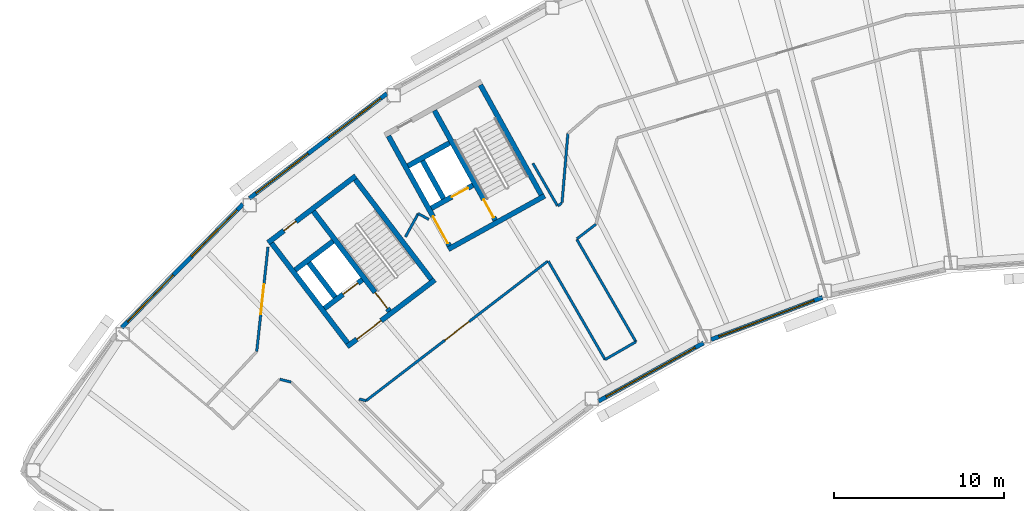
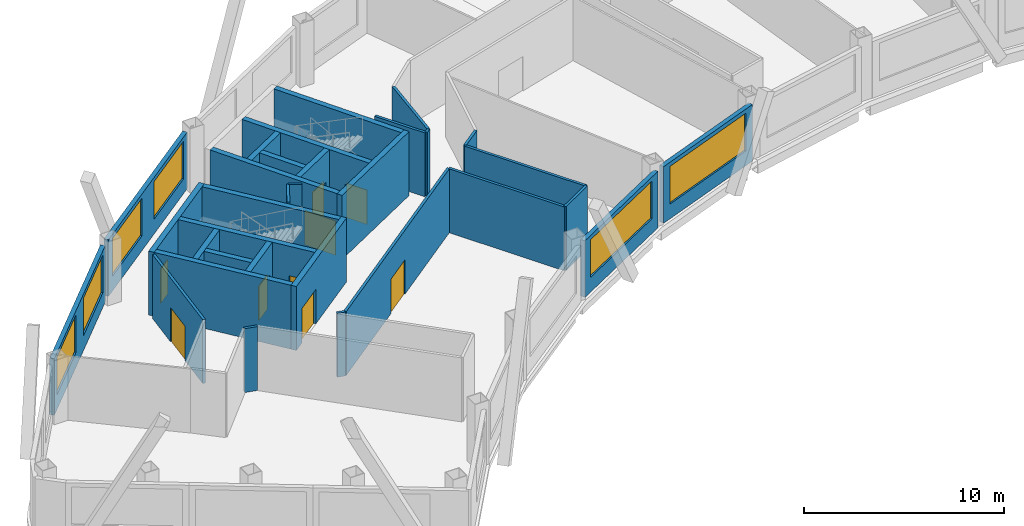
# One storey, part 5 of 13: 32 walls, 9 doors, 6 windows, 15 openings.
"""IFC4 building model written with IfcOpenShell, lengths in metres."""

from ifc_helpers import new_model, si_unit, direction, frame, frame_2d, origin, place, context, subcontext, project, spatial, rectangle, extrude, material, layer, layer_set, type_object, element, fill, save


model = new_model("IFC4")

# Units and contexts
model_context = context("Model", 3, precision=1e-05, world=origin(), true_north=direction((0.0, 1.0)))
body_context = subcontext(model_context, "Body", "Model", "MODEL_VIEW")
ifc_project = project(units=[si_unit("LENGTHUNIT", "METRE"), si_unit("AREAUNIT", "SQUARE_METRE"), si_unit("VOLUMEUNIT", "CUBIC_METRE"), si_unit("PLANEANGLEUNIT", "RADIAN"), si_unit("MASSUNIT", "GRAM", prefix="KILO")], contexts=[model_context])

# Site, building, storey
site_placement = place(None, origin())
site = spatial("IfcSite", under=ifc_project, at=site_placement, CompositionType="ELEMENT")
building_placement = place(site_placement, origin())
building = spatial("IfcBuilding", under=site, at=building_placement, Name="Tuul Gate Civic Tower", CompositionType="ELEMENT")
storey_placement = place(building_placement, frame((0.0, 0.0, 302.60009765625)))
storey = spatial("IfcBuildingStorey", under=building, at=storey_placement, Name="Level 68", CompositionType="ELEMENT", Elevation=302.60009765625)

# Wall, opening, door
ifc_material_1 = material(Name="Concrete C50/60", Category="concrete")
ifc_layer_1 = layer(ifc_material_1, 0.300048828125)
ifc_layer_set_1 = layer_set([ifc_layer_1], Name="Concrete C50/60")
wall_type_1 = type_object("IfcWallType", Name="Core wall C50/60", PredefinedType="SHEAR", material=ifc_layer_set_1)
wall_1_placement = place(storey_placement, frame((-31.19091796875, -13.669677734375, 0.0), z_axis=(0.0, 0.0, 1.0), x_axis=(-0.795606717756, -0.605813461934, 0.0)))
wall_1 = element("IfcWall", 1, at=wall_1_placement, inside=storey, type_object=wall_type_1, Name="Core wall", PredefinedType="SHEAR", context=body_context, shape_type="SweptSolid", body=[
    extrude(rectangle(XDim=6.5, YDim=0.300048828125, at=frame_2d((3.25, 0.0))), origin(), (0.0, 0.0, 1.0), 3.89990234375),
])
opening_1_placement = place(wall_1_placement, frame((3.97509765625, 0.0, 0.0)))
opening_1 = element("IfcOpeningElement", 2, at=opening_1_placement, cuts=wall_1, Name="Opening LB-W1-LOBBY-1", PredefinedType="OPENING", context=body_context, shape_type="SweptSolid", body=[
    extrude(rectangle(XDim=1.800048828125, YDim=2.10009765625, at=frame_2d((0.89990234375, 1.050048828125))), frame((0.0, 0.16015625, 0.0), z_axis=(0.0, -1.0, 0.0), x_axis=(1.0, 0.0, 0.0)), (0.0, 0.0, 1.0), 0.320068359375),
])
ifc_material_2 = material(Name="Steel", Category="steel")
door_type_1 = type_object("IfcDoorType", Name="Lobby door", OperationType="DOUBLE_DOOR_SINGLE_SWING", PredefinedType="DOOR", material=ifc_material_2)
door_1_placement = place(opening_1_placement, origin())
door_1 = element("IfcDoor", 3, at=door_1_placement, inside=storey, type_object=door_type_1, Name="Lobby door W1-LOBBY", OperationType="DOUBLE_DOOR_SINGLE_SWING", OverallHeight=2.10009765625, OverallWidth=1.800048828125, PredefinedType="DOOR", context=body_context, shape_type="SweptSolid", body=[
    extrude(rectangle(XDim=1.800048828125, YDim=2.10009765625, at=frame_2d((0.89990234375, 1.050048828125))), frame((0.0, 0.02490234375, 0.0), z_axis=(0.0, -1.0, 0.0), x_axis=(1.0, 0.0, 0.0)), (0.0, 0.0, 1.0), 0.050048828125),
])
fill(opening_1, door_1)

wall_2_placement = place(storey_placement, frame((-35.470947265625, -13.66064453125, 0.0), z_axis=(0.0, 0.0, 1.0), x_axis=(-0.795615822227, -0.605801504968, 0.0)))
wall_2 = element("IfcWall", 4, at=wall_2_placement, inside=storey, type_object=wall_type_1, Name="Core wall", PredefinedType="SHEAR", context=body_context, shape_type="SweptSolid", body=[
    extrude(rectangle(XDim=2.800048828125, YDim=0.300048828125, at=frame_2d((1.39990234375, 0.0))), origin(), (0.0, 0.0, 1.0), 3.89990234375),
])
opening_2_placement = place(wall_2_placement, frame((0.324951171875, 0.0, 0.0)))
opening_2 = element("IfcOpeningElement", 5, at=opening_2_placement, cuts=wall_2, Name="Opening LD-H1", PredefinedType="OPENING", context=body_context, shape_type="SweptSolid", body=[
    extrude(rectangle(XDim=1.10009765625, YDim=2.10009765625, at=frame_2d((0.550048828125, 1.050048828125))), frame((0.0, 0.16015625, 0.0), z_axis=(0.0, -1.0, 0.0), x_axis=(1.0, 0.0, 0.0)), (0.0, 0.0, 1.0), 0.320068359375),
])
ifc_material_3 = material(Name="Stainless steel", Category="steel")
door_type_2 = type_object("IfcDoorType", Name="Landing door", OperationType="DOUBLE_DOOR_SLIDING", PredefinedType="DOOR", material=ifc_material_3)
door_2_placement = place(opening_2_placement, origin())
door_2 = element("IfcDoor", 6, at=door_2_placement, inside=storey, type_object=door_type_2, Name="High-rise lift H1 landing door", OperationType="DOUBLE_DOOR_SLIDING", OverallHeight=2.10009765625, OverallWidth=1.10009765625, PredefinedType="DOOR", context=body_context, shape_type="SweptSolid", body=[
    extrude(rectangle(XDim=1.10009765625, YDim=2.10009765625, at=frame_2d((0.550048828125, 1.050048828125))), frame((0.0, 0.02490234375, 0.0), z_axis=(0.0, -1.0, 0.0), x_axis=(1.0, 0.0, 0.0)), (0.0, 0.0, 1.0), 0.050048828125),
])
fill(opening_2, door_2)

# Wall
wall_3_placement = place(storey_placement, frame((-37.197509765625, -11.39306640625, 0.0), z_axis=(0.0, 0.0, 1.0), x_axis=(-0.795583820278, -0.605843531707, 0.0)))
element("IfcWall", 7, at=wall_3_placement, inside=storey, type_object=wall_type_1, Name="Core wall", PredefinedType="SHEAR", context=body_context, shape_type="SweptSolid", body=[
    extrude(rectangle(XDim=2.7998046875, YDim=0.300048828125, at=frame_2d((1.39990234375, 0.0))), origin(), (0.0, 0.0, 1.0), 3.89990234375),
])

# Wall, opening, door
wall_4_placement = place(storey_placement, frame((-35.855224609375, -7.543212890625, 0.0), z_axis=(0.0, 0.0, 1.0), x_axis=(-0.79563860527, -0.605771582202, 0.0)))
wall_4 = element("IfcWall", 8, at=wall_4_placement, inside=storey, type_object=wall_type_1, Name="Core wall", PredefinedType="SHEAR", context=body_context, shape_type="SweptSolid", body=[
    extrude(rectangle(XDim=6.5, YDim=0.300048828125, at=frame_2d((3.25, 0.0))), origin(), (0.0, 0.0, 1.0), 3.89990234375),
])
opening_3_placement = place(wall_4_placement, frame((4.425048828125, 0.0, 0.0)))
opening_3 = element("IfcOpeningElement", 9, at=opening_3_placement, cuts=wall_4, Name="Opening Y-D16", PredefinedType="OPENING", context=body_context, shape_type="SweptSolid", body=[
    extrude(rectangle(XDim=0.89990234375, YDim=2.10009765625, at=frame_2d((0.449951171875, 1.050048828125))), frame((0.0, 0.16015625, 0.0), z_axis=(0.0, -1.0, 0.0), x_axis=(1.0, 0.0, 0.0)), (0.0, 0.0, 1.0), 0.320068359375),
])
ifc_material_4 = material(Name="Timber door leaf", Category="wood")
door_type_3 = type_object("IfcDoorType", Name="Door D09", OperationType="NOTDEFINED", PredefinedType="DOOR", material=ifc_material_4)
door_3_placement = place(opening_3_placement, origin())
door_3 = element("IfcDoor", 10, at=door_3_placement, inside=storey, type_object=door_type_3, Name="Door Y-D16", OperationType="SINGLE_SWING_RIGHT", OverallHeight=2.10009765625, OverallWidth=0.89990234375, PredefinedType="DOOR", context=body_context, shape_type="SweptSolid", body=[
    extrude(rectangle(XDim=0.89990234375, YDim=2.10009765625, at=frame_2d((0.449951171875, 1.050048828125))), frame((0.0, 0.02490234375, 0.0), z_axis=(0.0, -1.0, 0.0), x_axis=(1.0, 0.0, 0.0)), (0.0, 0.0, 1.0), 0.050048828125),
])
fill(opening_3, door_3)

# Wall
wall_5_placement = place(storey_placement, frame((-31.401123046875, -13.64111328125, 0.0), z_axis=(0.0, 0.0, 1.0), x_axis=(-0.605769822278, 0.795639945213, 0.0)))
element("IfcWall", 11, at=wall_5_placement, inside=storey, type_object=wall_type_1, Name="Core wall", PredefinedType="SHEAR", context=body_context, shape_type="SweptSolid", body=[
    extrude(rectangle(XDim=7.39990234375, YDim=0.300048828125, at=frame_2d((3.699951171875, 0.0))), origin(), (0.0, 0.0, 1.0), 3.89990234375),
])

# Wall, opening, door
wall_6_placement = place(storey_placement, frame((-33.867431640625, -15.51904296875, 0.0), z_axis=(0.0, 0.0, 1.0), x_axis=(-0.605769822278, 0.795639945213, 0.0)))
wall_6 = element("IfcWall", 12, at=wall_6_placement, inside=storey, type_object=wall_type_1, Name="Core wall", PredefinedType="SHEAR", context=body_context, shape_type="SweptSolid", body=[
    extrude(rectangle(XDim=7.39990234375, YDim=0.300048828125, at=frame_2d((3.699951171875, 0.0))), origin(), (0.0, 0.0, 1.0), 3.89990234375),
])
opening_4_placement = place(wall_6_placement, frame((0.199951171875, 0.0, 0.0)))
opening_4 = element("IfcOpeningElement", 13, at=opening_4_placement, cuts=wall_6, Name="Opening SD-ST-1", PredefinedType="OPENING", context=body_context, shape_type="SweptSolid", body=[
    extrude(rectangle(XDim=1.199951171875, YDim=2.10009765625, at=frame_2d((0.60009765625, 1.050048828125))), frame((0.0, 0.16015625, 0.0), z_axis=(0.0, -1.0, 0.0), x_axis=(1.0, 0.0, 0.0)), (0.0, 0.0, 1.0), 0.320068359375),
])
ifc_material_5 = material(Name="Steel", Category="steel")
door_type_4 = type_object("IfcDoorType", Name="Stair door", OperationType="NOTDEFINED", PredefinedType="DOOR", material=ifc_material_5)
door_4_placement = place(opening_4_placement, origin())
door_4 = element("IfcDoor", 14, at=door_4_placement, inside=storey, type_object=door_type_4, Name="Stair door ST-1", OperationType="SINGLE_SWING_LEFT", OverallHeight=2.10009765625, OverallWidth=1.199951171875, PredefinedType="DOOR", context=body_context, shape_type="SweptSolid", body=[
    extrude(rectangle(XDim=1.199951171875, YDim=2.10009765625, at=frame_2d((0.60009765625, 1.050048828125))), frame((0.0, 0.02490234375, 0.0), z_axis=(0.0, -1.0, 0.0), x_axis=(1.0, 0.0, 0.0)), (0.0, 0.0, 1.0), 0.050048828125),
])
fill(opening_4, door_4)

# Walls
wall_7_placement = place(storey_placement, frame((-37.073486328125, -14.6923828125, 0.0), z_axis=(0.0, 0.0, 1.0), x_axis=(-0.605728760074, 0.79567120673, 0.0)))
element("IfcWall", 15, at=wall_7_placement, inside=storey, type_object=wall_type_1, Name="Core wall", PredefinedType="SHEAR", context=body_context, shape_type="SweptSolid", body=[
    extrude(rectangle(XDim=2.550048828125, YDim=0.300048828125, at=frame_2d((1.27490234375, 0.0))), origin(), (0.0, 0.0, 1.0), 3.89990234375),
])
wall_8_placement = place(storey_placement, frame((-36.333984375, -17.397216796875, 0.0), z_axis=(0.0, 0.0, 1.0), x_axis=(-0.605753921168, 0.795652051458, 0.0)))
element("IfcWall", 16, at=wall_8_placement, inside=storey, type_object=wall_type_1, Name="Core wall", PredefinedType="SHEAR", context=body_context, shape_type="SweptSolid", body=[
    extrude(rectangle(XDim=7.400146484375, YDim=0.300048828125, at=frame_2d((3.7001953125, 0.0))), origin(), (0.0, 0.0, 1.0), 3.89990234375),
])
wall_9_placement = place(storey_placement, frame((-24.711669921875, -8.7158203125, 0.0), z_axis=(0.0, 0.0, 1.0), x_axis=(-0.874629909008, -0.484791215132, 0.0)))
element("IfcWall", 17, at=wall_9_placement, inside=storey, type_object=wall_type_1, Name="Core wall", PredefinedType="SHEAR", context=body_context, shape_type="SweptSolid", body=[
    extrude(rectangle(XDim=6.5, YDim=0.300048828125, at=frame_2d((3.25, 0.0))), origin(), (0.0, 0.0, 1.0), 3.89990234375),
])

# Wall, opening, door
wall_10_placement = place(storey_placement, frame((-28.94580078125, -8.090087890625, 0.0), z_axis=(0.0, 0.0, 1.0), x_axis=(-0.874629840737, -0.484791338301, 0.0)))
wall_10 = element("IfcWall", 18, at=wall_10_placement, inside=storey, type_object=wall_type_1, Name="Core wall", PredefinedType="SHEAR", context=body_context, shape_type="SweptSolid", body=[
    extrude(rectangle(XDim=2.800048828125, YDim=0.300048828125, at=frame_2d((1.39990234375, 0.0))), origin(), (0.0, 0.0, 1.0), 3.89990234375),
])
opening_5_placement = place(wall_10_placement, frame((0.324951171875, 0.0, 0.0)))
opening_5 = element("IfcOpeningElement", 19, at=opening_5_placement, cuts=wall_10, Name="Opening LD-FF-1", PredefinedType="OPENING", context=body_context, shape_type="SweptSolid", body=[
    extrude(rectangle(XDim=1.10009765625, YDim=2.10009765625, at=frame_2d((0.550048828125, 1.050048828125))), frame((0.0, 0.16015625, 0.0), z_axis=(0.0, -1.0, 0.0), x_axis=(1.0, 0.0, 0.0)), (0.0, 0.0, 1.0), 0.320068359375),
])
door_5_placement = place(opening_5_placement, origin())
door_5 = element("IfcDoor", 20, at=door_5_placement, inside=storey, type_object=door_type_2, Name="Fire-fighting lift FF-1 landing door", OperationType="DOUBLE_DOOR_SLIDING", OverallHeight=2.10009765625, OverallWidth=1.10009765625, PredefinedType="DOOR", context=body_context, shape_type="SweptSolid", body=[
    extrude(rectangle(XDim=1.10009765625, YDim=2.10009765625, at=frame_2d((0.550048828125, 1.050048828125))), frame((0.0, 0.02490234375, 0.0), z_axis=(0.0, -1.0, 0.0), x_axis=(1.0, 0.0, 0.0)), (0.0, 0.0, 1.0), 0.050048828125),
])
fill(opening_5, door_5)

# Walls
wall_11_placement = place(storey_placement, frame((-30.327392578125, -5.59716796875, 0.0), z_axis=(0.0, 0.0, 1.0), x_axis=(-0.874629840737, -0.484791338301, 0.0)))
element("IfcWall", 21, at=wall_11_placement, inside=storey, type_object=wall_type_1, Name="Core wall", PredefinedType="SHEAR", context=body_context, shape_type="SweptSolid", body=[
    extrude(rectangle(XDim=2.800048828125, YDim=0.300048828125, at=frame_2d((1.39990234375, 0.0))), origin(), (0.0, 0.0, 1.0), 3.89990234375),
])
wall_12_placement = place(storey_placement, frame((-24.91552734375, -8.6572265625, 0.0), z_axis=(0.0, 0.0, 1.0), x_axis=(-0.484777133038, 0.874637714304, 0.0)))
element("IfcWall", 22, at=wall_12_placement, inside=storey, type_object=wall_type_1, Name="Core wall", PredefinedType="SHEAR", context=body_context, shape_type="SweptSolid", body=[
    extrude(rectangle(XDim=7.400146484375, YDim=0.300048828125, at=frame_2d((3.7001953125, 0.0))), origin(), (0.0, 0.0, 1.0), 3.89990234375),
])

# Wall, opening, door
wall_13_placement = place(storey_placement, frame((-27.626953125, -10.16015625, 0.0), z_axis=(0.0, 0.0, 1.0), x_axis=(-0.484751894226, 0.874651702704, 0.0)))
wall_13 = element("IfcWall", 23, at=wall_13_placement, inside=storey, type_object=wall_type_1, Name="Core wall", PredefinedType="SHEAR", context=body_context, shape_type="SweptSolid", body=[
    extrude(rectangle(XDim=7.39990234375, YDim=0.300048828125, at=frame_2d((3.699951171875, 0.0))), origin(), (0.0, 0.0, 1.0), 3.89990234375),
])
opening_6_placement = place(wall_13_placement, frame((0.199951171875, 0.0, 0.0)))
opening_6 = element("IfcOpeningElement", 24, at=opening_6_placement, cuts=wall_13, Name="Opening SD-ST-2", PredefinedType="OPENING", context=body_context, shape_type="SweptSolid", body=[
    extrude(rectangle(XDim=1.199951171875, YDim=2.10009765625, at=frame_2d((0.60009765625, 1.050048828125))), frame((0.0, 0.16015625, 0.0), z_axis=(0.0, -1.0, 0.0), x_axis=(1.0, 0.0, 0.0)), (0.0, 0.0, 1.0), 0.320068359375),
])
door_6_placement = place(opening_6_placement, origin())
door_6 = element("IfcDoor", 25, at=door_6_placement, inside=storey, type_object=door_type_4, Name="Stair door ST-2", OperationType="SINGLE_SWING_LEFT", OverallHeight=2.10009765625, OverallWidth=1.199951171875, PredefinedType="DOOR", context=body_context, shape_type="SweptSolid", body=[
    extrude(rectangle(XDim=1.199951171875, YDim=2.10009765625, at=frame_2d((0.60009765625, 1.050048828125))), frame((0.0, 0.02490234375, 0.0), z_axis=(0.0, -1.0, 0.0), x_axis=(1.0, 0.0, 0.0)), (0.0, 0.0, 1.0), 0.050048828125),
])
fill(opening_6, door_6)

# Wall
wall_14_placement = place(storey_placement, frame((-30.680419921875, -8.8798828125, 0.0), z_axis=(0.0, 0.0, 1.0), x_axis=(-0.484724115216, 0.874667097888, 0.0)))
element("IfcWall", 26, at=wall_14_placement, inside=storey, type_object=wall_type_1, Name="Core wall", PredefinedType="SHEAR", context=body_context, shape_type="SweptSolid", body=[
    extrude(rectangle(XDim=2.550048828125, YDim=0.300048828125, at=frame_2d((1.27490234375, 0.0))), origin(), (0.0, 0.0, 1.0), 3.89990234375),
])

# Wall, opening, door
wall_15_placement = place(storey_placement, frame((-30.33837890625, -11.6630859375, 0.0), z_axis=(0.0, 0.0, 1.0), x_axis=(-0.484751894226, 0.874651702704, 0.0)))
wall_15 = element("IfcWall", 27, at=wall_15_placement, inside=storey, type_object=wall_type_1, Name="Core wall", PredefinedType="SHEAR", context=body_context, shape_type="SweptSolid", body=[
    extrude(rectangle(XDim=7.39990234375, YDim=0.300048828125, at=frame_2d((3.699951171875, 0.0))), origin(), (0.0, 0.0, 1.0), 3.89990234375),
])
opening_7_placement = place(wall_15_placement, frame((0.175048828125, 0.0, 0.0)))
opening_7 = element("IfcOpeningElement", 28, at=opening_7_placement, cuts=wall_15, Name="Opening LB-W2-FLOBBY-1", PredefinedType="OPENING", context=body_context, shape_type="SweptSolid", body=[
    extrude(rectangle(XDim=1.800048828125, YDim=2.10009765625, at=frame_2d((0.89990234375, 1.050048828125))), frame((0.0, 0.16015625, 0.0), z_axis=(0.0, -1.0, 0.0), x_axis=(1.0, 0.0, 0.0)), (0.0, 0.0, 1.0), 0.320068359375),
])
door_7_placement = place(opening_7_placement, frame((1.800048828125, 0.0, 0.0), z_axis=(0.0, 0.0, 1.0), x_axis=(-1.0, 0.0, 0.0)))
door_7 = element("IfcDoor", 29, at=door_7_placement, inside=storey, type_object=door_type_1, Name="Lobby door W2-FLOBBY", OperationType="DOUBLE_DOOR_SINGLE_SWING", OverallHeight=2.10009765625, OverallWidth=1.800048828125, PredefinedType="DOOR", context=body_context, shape_type="SweptSolid", body=[
    extrude(rectangle(XDim=1.800048828125, YDim=2.10009765625, at=frame_2d((0.900146484375, 1.050048828125))), frame((0.0, 0.02490234375, 0.0), z_axis=(0.0, -1.0, 0.0), x_axis=(1.0, 0.0, 0.0)), (0.0, 0.0, 1.0), 0.050048828125),
])
fill(opening_7, door_7)

# Walls
ifc_material_6 = material(Name="Gypsum board partition")
ifc_layer_2 = layer(ifc_material_6, 0.14990234375)
ifc_layer_set_2 = layer_set([ifc_layer_2], Name="Gypsum board partition")
wall_type_2 = type_object("IfcWallType", Name="Corridor wall P150", PredefinedType="PARTITIONING", material=ifc_layer_set_2)
wall_16_placement = place(storey_placement, frame((-23.690185546875, -9.11669921875, 0.0), z_axis=(0.0, 0.0, 1.0), x_axis=(0.084074030476, 0.996459511169, 0.0)))
element("IfcWall", 30, at=wall_16_placement, inside=storey, type_object=wall_type_2, Name="p038", PredefinedType="PARTITIONING", context=body_context, shape_type="SweptSolid", body=[
    extrude(rectangle(XDim=4.085693359375, YDim=0.14990234375, at=frame_2d((2.04296875, 0.0))), origin(), (0.0, 0.0, 1.0), 3.89990234375),
])
wall_17_placement = place(storey_placement, frame((-23.931640625, -9.312255859375, 0.0), z_axis=(0.0, 0.0, 1.0), x_axis=(0.790865928827, 0.611989446495, 0.0)))
element("IfcWall", 31, at=wall_17_placement, inside=storey, type_object=wall_type_2, Name="p039", PredefinedType="PARTITIONING", context=body_context, shape_type="SweptSolid", body=[
    extrude(rectangle(XDim=0.294921875, YDim=0.14990234375, at=frame_2d((0.1474609375, 0.0))), origin(), (0.0, 0.0, 1.0), 3.89990234375),
])
wall_18_placement = place(storey_placement, frame((-25.409912109375, -6.79833984375, 0.0), z_axis=(0.0, 0.0, 1.0), x_axis=(0.500028961621, -0.866008682139, 0.0)))
element("IfcWall", 32, at=wall_18_placement, inside=storey, type_object=wall_type_2, Name="p040", PredefinedType="PARTITIONING", context=body_context, shape_type="SweptSolid", body=[
    extrude(rectangle(XDim=2.895751953125, YDim=0.14990234375, at=frame_2d((1.44775390625, 0.0))), origin(), (0.0, 0.0, 1.0), 3.89990234375),
])
wall_19_placement = place(storey_placement, frame((-22.822021484375, -11.280517578125, 0.0), z_axis=(0.0, 0.0, 1.0), x_axis=(0.500001179632, -0.866024722723, 0.0)))
element("IfcWall", 33, at=wall_19_placement, inside=storey, type_object=wall_type_2, Name="p041", PredefinedType="PARTITIONING", context=body_context, shape_type="SweptSolid", body=[
    extrude(rectangle(XDim=6.9755859375, YDim=0.14990234375, at=frame_2d((3.48779296875, 0.0))), origin(), (0.0, 0.0, 1.0), 3.89990234375),
])
wall_20_placement = place(storey_placement, frame((-32.17041015625, -9.76318359375, 0.0), z_axis=(0.0, 0.0, 1.0), x_axis=(0.877175212759, -0.480170434452, 0.0)))
element("IfcWall", 34, at=wall_20_placement, inside=storey, type_object=wall_type_2, Name="p042", PredefinedType="PARTITIONING", context=body_context, shape_type="SweptSolid", body=[
    extrude(rectangle(XDim=0.71337890625, YDim=0.14990234375, at=frame_2d((0.356689453125, 0.0))), origin(), (0.0, 0.0, 1.0), 3.89990234375),
])
wall_21_placement = place(storey_placement, frame((-32.92578125, -11.14208984375, 0.0), z_axis=(0.0, 0.0, 1.0), x_axis=(0.48009263129, 0.877217798144, 0.0)))
element("IfcWall", 35, at=wall_21_placement, inside=storey, type_object=wall_type_2, Name="p043", PredefinedType="PARTITIONING", context=body_context, shape_type="SweptSolid", body=[
    extrude(rectangle(XDim=1.5712890625, YDim=0.14990234375, at=frame_2d((0.78564453125, 0.0))), origin(), (0.0, 0.0, 1.0), 3.89990234375),
])

# Wall, opening, door
wall_22_placement = place(storey_placement, frame((-41.693603515625, -17.896484375, 0.0), z_axis=(0.0, 0.0, 1.0), x_axis=(0.107454503647, 0.994210002789, 0.0)))
wall_22 = element("IfcWall", 36, at=wall_22_placement, inside=storey, type_object=wall_type_2, Name="p044", PredefinedType="PARTITIONING", context=body_context, shape_type="SweptSolid", body=[
    extrude(rectangle(XDim=6.20263671875, YDim=0.14990234375, at=frame_2d((3.101318359375, 0.0))), origin(), (0.0, 0.0, 1.0), 3.89990234375),
])
opening_8_placement = place(wall_22_placement, frame((2.201416015625, 0.0, 0.0)))
opening_8 = element("IfcOpeningElement", 37, at=opening_8_placement, cuts=wall_22, Name="Opening Y-D06", PredefinedType="OPENING", context=body_context, shape_type="SweptSolid", body=[
    extrude(rectangle(XDim=1.800048828125, YDim=2.10009765625, at=frame_2d((0.89990234375, 1.050048828125))), frame((0.0, 0.0849609375, 0.0), z_axis=(0.0, -1.0, 0.0), x_axis=(1.0, 0.0, 0.0)), (0.0, 0.0, 1.0), 0.169921875),
])
ifc_material_7 = material(Name="Timber door leaf, double", Category="wood")
door_type_5 = type_object("IfcDoorType", Name="Door D18", OperationType="DOUBLE_DOOR_SINGLE_SWING", PredefinedType="DOOR", material=ifc_material_7)
door_8_placement = place(opening_8_placement, origin())
door_8 = element("IfcDoor", 38, at=door_8_placement, inside=storey, type_object=door_type_5, Name="Door Y-D06", OperationType="DOUBLE_DOOR_SINGLE_SWING", OverallHeight=2.10009765625, OverallWidth=1.800048828125, PredefinedType="DOOR", context=body_context, shape_type="SweptSolid", body=[
    extrude(rectangle(XDim=1.800048828125, YDim=2.10009765625, at=frame_2d((0.89990234375, 1.050048828125))), frame((0.0, 0.02490234375, 0.0), z_axis=(0.0, -1.0, 0.0), x_axis=(1.0, 0.0, 0.0)), (0.0, 0.0, 1.0), 0.050048828125),
])
fill(opening_8, door_8)

# Walls
wall_23_placement = place(storey_placement, frame((-40.32958984375, -19.53466796875, 0.0), z_axis=(0.0, 0.0, 1.0), x_axis=(0.970729179799, -0.240176725533, 0.0)))
element("IfcWall", 39, at=wall_23_placement, inside=storey, type_object=wall_type_2, Name="p079", PredefinedType="PARTITIONING", context=body_context, shape_type="SweptSolid", body=[
    extrude(rectangle(XDim=0.68212890625, YDim=0.14990234375, at=frame_2d((0.341064453125, 0.0))), origin(), (0.0, 0.0, 1.0), 3.89990234375),
])
wall_24_placement = place(storey_placement, frame((-35.65087890625, -20.692626953125, 0.0), z_axis=(0.0, 0.0, 1.0), x_axis=(0.970820139182, -0.23980879333, 0.0)))
element("IfcWall", 40, at=wall_24_placement, inside=storey, type_object=wall_type_2, Name="p080", PredefinedType="PARTITIONING", context=body_context, shape_type="SweptSolid", body=[
    extrude(rectangle(XDim=0.42138671875, YDim=0.14990234375, at=frame_2d((0.210693359375, 0.0))), origin(), (0.0, 0.0, 1.0), 3.89990234375),
])

# Wall, opening, door
wall_25_placement = place(storey_placement, frame((-35.2412109375, -20.792236328125, 0.0), z_axis=(0.0, 0.0, 1.0), x_axis=(0.793202297642, 0.608958221076, 0.0)))
wall_25 = element("IfcWall", 41, at=wall_25_placement, inside=storey, type_object=wall_type_2, Name="p084", PredefinedType="PARTITIONING", context=body_context, shape_type="SweptSolid", body=[
    extrude(rectangle(XDim=13.50390625, YDim=0.14990234375, at=frame_2d((6.751953125, 0.0))), origin(), (0.0, 0.0, 1.0), 3.89990234375),
])
opening_9_placement = place(wall_25_placement, frame((5.85205078125, 0.0, 0.0)))
opening_9 = element("IfcOpeningElement", 42, at=opening_9_placement, cuts=wall_25, Name="Opening Y-D13", PredefinedType="OPENING", context=body_context, shape_type="SweptSolid", body=[
    extrude(rectangle(XDim=1.800048828125, YDim=2.10009765625, at=frame_2d((0.89990234375, 1.050048828125))), frame((0.0, 0.0849609375, 0.0), z_axis=(0.0, -1.0, 0.0), x_axis=(1.0, 0.0, 0.0)), (0.0, 0.0, 1.0), 0.169921875),
])
door_9_placement = place(opening_9_placement, frame((1.800048828125, 0.0, 0.0), z_axis=(0.0, 0.0, 1.0), x_axis=(-1.0, 0.0, 0.0)))
door_9 = element("IfcDoor", 43, at=door_9_placement, inside=storey, type_object=door_type_5, Name="Door Y-D13", OperationType="DOUBLE_DOOR_SINGLE_SWING", OverallHeight=2.10009765625, OverallWidth=1.800048828125, PredefinedType="DOOR", context=body_context, shape_type="SweptSolid", body=[
    extrude(rectangle(XDim=1.800048828125, YDim=2.10009765625, at=frame_2d((0.900146484375, 1.050048828125))), frame((0.0, 0.02490234375, 0.0), z_axis=(0.0, -1.0, 0.0), x_axis=(1.0, 0.0, 0.0)), (0.0, 0.0, 1.0), 0.050048828125),
])
fill(opening_9, door_9)

# Walls
wall_26_placement = place(storey_placement, frame((-22.81689453125, -11.25390625, 0.0), z_axis=(0.0, 0.0, 1.0), x_axis=(0.793205065992, 0.608954615127, 0.0)))
element("IfcWall", 44, at=wall_26_placement, inside=storey, type_object=wall_type_2, Name="p085", PredefinedType="PARTITIONING", context=body_context, shape_type="SweptSolid", body=[
    extrude(rectangle(XDim=1.42041015625, YDim=0.14990234375, at=frame_2d((0.710205078125, 0.0))), origin(), (0.0, 0.0, 1.0), 3.89990234375),
])
wall_27_placement = place(storey_placement, frame((-24.49951171875, -12.574951171875, 0.0), z_axis=(0.0, 0.0, 1.0), x_axis=(0.499999249307, -0.866025837197, 0.0)))
element("IfcWall", 45, at=wall_27_placement, inside=storey, type_object=wall_type_2, Name="p086", PredefinedType="PARTITIONING", context=body_context, shape_type="SweptSolid", body=[
    extrude(rectangle(XDim=6.693359375, YDim=0.14990234375, at=frame_2d((3.3466796875, 0.0))), origin(), (0.0, 0.0, 1.0), 3.89990234375),
])
wall_28_placement = place(storey_placement, frame((-21.15283203125, -18.37158203125, 0.0), z_axis=(0.0, 0.0, 1.0), x_axis=(0.866009402589, 0.500027713859, 0.0)))
element("IfcWall", 46, at=wall_28_placement, inside=storey, type_object=wall_type_2, Name="p087", PredefinedType="PARTITIONING", context=body_context, shape_type="SweptSolid", body=[
    extrude(rectangle(XDim=2.10009765625, YDim=0.14990234375, at=frame_2d((1.050048828125, 0.0))), origin(), (0.0, 0.0, 1.0), 3.89990234375),
])

# Wall, openings, windows
ifc_material_8 = material(Name="Precast concrete C40/50", Category="concrete")
ifc_layer_3 = layer(ifc_material_8, 0.25)
ifc_layer_set_3 = layer_set([ifc_layer_3], Name="Precast concrete C40/50")
wall_type_3 = type_object("IfcWallType", Name="External wall", PredefinedType="STANDARD", material=ifc_layer_set_3)
wall_29_placement = place(storey_placement, frame((-34.013916015625, -2.6865234375, 0.0), z_axis=(0.0, 0.0, 1.0), x_axis=(-0.795611005019, -0.605807831488, 0.0)))
wall_29 = element("IfcWall", 47, at=wall_29_placement, inside=storey, type_object=wall_type_3, Name="External wall", PredefinedType="STANDARD", context=body_context, shape_type="SweptSolid", body=[
    extrude(rectangle(XDim=10.188720703125, YDim=0.25, at=frame_2d((5.09423828125, 0.0))), origin(), (0.0, 0.0, 1.0), 3.449951171875),
])
opening_10_placement = place(wall_29_placement, frame((0.47314453125, 0.0, 0.89990234375)))
opening_10 = element("IfcOpeningElement", 48, at=opening_10_placement, cuts=wall_29, Name="Opening W22", PredefinedType="OPENING", context=body_context, shape_type="SweptSolid", body=[
    extrude(rectangle(XDim=3.85009765625, YDim=2.300048828125, at=frame_2d((1.925048828125, 1.14990234375))), frame((0.0, 0.135009765625, 0.0), z_axis=(0.0, -1.0, 0.0), x_axis=(1.0, 0.0, 0.0)), (0.0, 0.0, 1.0), 0.27001953125),
])
opening_11_placement = place(wall_29_placement, frame((5.844482421875, 0.0, 0.89990234375)))
opening_11 = element("IfcOpeningElement", 49, at=opening_11_placement, cuts=wall_29, Name="Opening W22", PredefinedType="OPENING", context=body_context, shape_type="SweptSolid", body=[
    extrude(rectangle(XDim=3.85009765625, YDim=2.300048828125, at=frame_2d((1.925048828125, 1.14990234375))), frame((0.0, 0.135009765625, 0.0), z_axis=(0.0, -1.0, 0.0), x_axis=(1.0, 0.0, 0.0)), (0.0, 0.0, 1.0), 0.27001953125),
])
ifc_material_9 = material(Name="Glass", Category="glass")
window_type_1 = type_object("IfcWindowType", Name="Window W22 3850 x 2300", PartitioningType="SINGLE_PANEL", PredefinedType="WINDOW", material=ifc_material_9)
window_1_placement = place(opening_10_placement, origin())
window_1 = element("IfcWindow", 50, at=window_1_placement, inside=storey, type_object=window_type_1, Name="Window", OverallHeight=2.300048828125, OverallWidth=3.85009765625, PartitioningType="SINGLE_PANEL", PredefinedType="WINDOW", context=body_context, shape_type="SweptSolid", body=[
    extrude(rectangle(XDim=3.85009765625, YDim=2.300048828125, at=frame_2d((1.925048828125, 1.14990234375))), frame((0.0, 0.030029296875, 0.0), z_axis=(0.0, -1.0, 0.0), x_axis=(1.0, 0.0, 0.0)), (0.0, 0.0, 1.0), 0.06005859375),
])
fill(opening_10, window_1)
window_2_placement = place(opening_11_placement, origin())
window_2 = element("IfcWindow", 51, at=window_2_placement, inside=storey, type_object=window_type_1, Name="Window", OverallHeight=2.300048828125, OverallWidth=3.85009765625, PartitioningType="SINGLE_PANEL", PredefinedType="WINDOW", context=body_context, shape_type="SweptSolid", body=[
    extrude(rectangle(XDim=3.85009765625, YDim=2.300048828125, at=frame_2d((1.925048828125, 1.14990234375))), frame((0.0, 0.030029296875, 0.0), z_axis=(0.0, -1.0, 0.0), x_axis=(1.0, 0.0, 0.0)), (0.0, 0.0, 1.0), 0.06005859375),
])
fill(opening_11, window_2)

wall_30_placement = place(storey_placement, frame((-42.509033203125, -9.20263671875, 0.0), z_axis=(0.0, 0.0, 1.0), x_axis=(-0.700044359254, -0.714099359387, 0.0)))
wall_30 = element("IfcWall", 52, at=wall_30_placement, inside=storey, type_object=wall_type_3, Name="External wall", PredefinedType="STANDARD", context=body_context, shape_type="SweptSolid", body=[
    extrude(rectangle(XDim=10.1962890625, YDim=0.25, at=frame_2d((5.09814453125, 0.0))), origin(), (0.0, 0.0, 1.0), 3.449951171875),
])
opening_12_placement = place(wall_30_placement, frame((0.48876953125, 0.0, 0.89990234375)))
opening_12 = element("IfcOpeningElement", 53, at=opening_12_placement, cuts=wall_30, Name="Opening W22", PredefinedType="OPENING", context=body_context, shape_type="SweptSolid", body=[
    extrude(rectangle(XDim=3.85009765625, YDim=2.300048828125, at=frame_2d((1.925048828125, 1.14990234375))), frame((0.0, 0.135009765625, 0.0), z_axis=(0.0, -1.0, 0.0), x_axis=(1.0, 0.0, 0.0)), (0.0, 0.0, 1.0), 0.27001953125),
])
opening_13_placement = place(wall_30_placement, frame((5.85986328125, 0.0, 0.89990234375)))
opening_13 = element("IfcOpeningElement", 54, at=opening_13_placement, cuts=wall_30, Name="Opening W22", PredefinedType="OPENING", context=body_context, shape_type="SweptSolid", body=[
    extrude(rectangle(XDim=3.85009765625, YDim=2.300048828125, at=frame_2d((1.925048828125, 1.14990234375))), frame((0.0, 0.135009765625, 0.0), z_axis=(0.0, -1.0, 0.0), x_axis=(1.0, 0.0, 0.0)), (0.0, 0.0, 1.0), 0.27001953125),
])
window_3_placement = place(opening_12_placement, origin())
window_3 = element("IfcWindow", 55, at=window_3_placement, inside=storey, type_object=window_type_1, Name="Window", OverallHeight=2.300048828125, OverallWidth=3.85009765625, PartitioningType="SINGLE_PANEL", PredefinedType="WINDOW", context=body_context, shape_type="SweptSolid", body=[
    extrude(rectangle(XDim=3.85009765625, YDim=2.300048828125, at=frame_2d((1.925048828125, 1.14990234375))), frame((0.0, 0.030029296875, 0.0), z_axis=(0.0, -1.0, 0.0), x_axis=(1.0, 0.0, 0.0)), (0.0, 0.0, 1.0), 0.06005859375),
])
fill(opening_12, window_3)
window_4_placement = place(opening_13_placement, origin())
window_4 = element("IfcWindow", 56, at=window_4_placement, inside=storey, type_object=window_type_1, Name="Window", OverallHeight=2.300048828125, OverallWidth=3.85009765625, PartitioningType="SINGLE_PANEL", PredefinedType="WINDOW", context=body_context, shape_type="SweptSolid", body=[
    extrude(rectangle(XDim=3.85009765625, YDim=2.300048828125, at=frame_2d((1.925048828125, 1.14990234375))), frame((0.0, 0.030029296875, 0.0), z_axis=(0.0, -1.0, 0.0), x_axis=(1.0, 0.0, 0.0)), (0.0, 0.0, 1.0), 0.06005859375),
])
fill(opening_13, window_4)

# Wall, opening, window
wall_31_placement = place(storey_placement, frame((-21.5380859375, -20.82177734375, 0.0), z_axis=(0.0, 0.0, 1.0), x_axis=(0.874625686175, 0.484798833625, 0.0)))
wall_31 = element("IfcWall", 57, at=wall_31_placement, inside=storey, type_object=wall_type_3, Name="External wall", PredefinedType="STANDARD", context=body_context, shape_type="SweptSolid", body=[
    extrude(rectangle(XDim=7.074462890625, YDim=0.25, at=frame_2d((3.537109375, 0.0))), origin(), (0.0, 0.0, 1.0), 3.449951171875),
])
opening_14_placement = place(wall_31_placement, frame((0.51806640625, 0.0, 0.89990234375)))
opening_14 = element("IfcOpeningElement", 58, at=opening_14_placement, cuts=wall_31, Name="Opening W26", PredefinedType="OPENING", context=body_context, shape_type="SweptSolid", body=[
    extrude(rectangle(XDim=6.0, YDim=2.300048828125, at=frame_2d((3.0, 1.14990234375))), frame((0.0, 0.135009765625, 0.0), z_axis=(0.0, -1.0, 0.0), x_axis=(1.0, 0.0, 0.0)), (0.0, 0.0, 1.0), 0.27001953125),
])
ifc_material_10 = material(Name="Glass", Category="glass")
window_type_2 = type_object("IfcWindowType", Name="Window W26 6000 x 2300", PartitioningType="SINGLE_PANEL", PredefinedType="WINDOW", material=ifc_material_10)
window_5_placement = place(opening_14_placement, origin())
window_5 = element("IfcWindow", 59, at=window_5_placement, inside=storey, type_object=window_type_2, Name="Window", OverallHeight=2.300048828125, OverallWidth=6.0, PartitioningType="SINGLE_PANEL", PredefinedType="WINDOW", context=body_context, shape_type="SweptSolid", body=[
    extrude(rectangle(XDim=6.0, YDim=2.300048828125, at=frame_2d((3.0, 1.14990234375))), frame((0.0, 0.030029296875, 0.0), z_axis=(0.0, -1.0, 0.0), x_axis=(1.0, 0.0, 0.0)), (0.0, 0.0, 1.0), 0.06005859375),
])
fill(opening_14, window_5)

wall_32_placement = place(storey_placement, frame((-14.89794921875, -17.1875, 0.0), z_axis=(0.0, 0.0, 1.0), x_axis=(0.93536719876, 0.35367810716, 0.0)))
wall_32 = element("IfcWall", 60, at=wall_32_placement, inside=storey, type_object=wall_type_3, Name="External wall", PredefinedType="STANDARD", context=body_context, shape_type="SweptSolid", body=[
    extrude(rectangle(XDim=7.013427734375, YDim=0.25, at=frame_2d((3.5068359375, 0.0))), origin(), (0.0, 0.0, 1.0), 3.449951171875),
])
opening_15_placement = place(wall_32_placement, frame((0.490478515625, 0.0, 0.89990234375)))
opening_15 = element("IfcOpeningElement", 61, at=opening_15_placement, cuts=wall_32, Name="Opening W26", PredefinedType="OPENING", context=body_context, shape_type="SweptSolid", body=[
    extrude(rectangle(XDim=6.0, YDim=2.300048828125, at=frame_2d((3.0, 1.14990234375))), frame((0.0, 0.135009765625, 0.0), z_axis=(0.0, -1.0, 0.0), x_axis=(1.0, 0.0, 0.0)), (0.0, 0.0, 1.0), 0.27001953125),
])
window_6_placement = place(opening_15_placement, origin())
window_6 = element("IfcWindow", 62, at=window_6_placement, inside=storey, type_object=window_type_2, Name="Window", OverallHeight=2.300048828125, OverallWidth=6.0, PartitioningType="SINGLE_PANEL", PredefinedType="WINDOW", context=body_context, shape_type="SweptSolid", body=[
    extrude(rectangle(XDim=6.0, YDim=2.300048828125, at=frame_2d((3.0, 1.14990234375))), frame((0.0, 0.030029296875, 0.0), z_axis=(0.0, -1.0, 0.0), x_axis=(1.0, 0.0, 0.0)), (0.0, 0.0, 1.0), 0.06005859375),
])
fill(opening_15, window_6)

save(model, "model.ifc")
